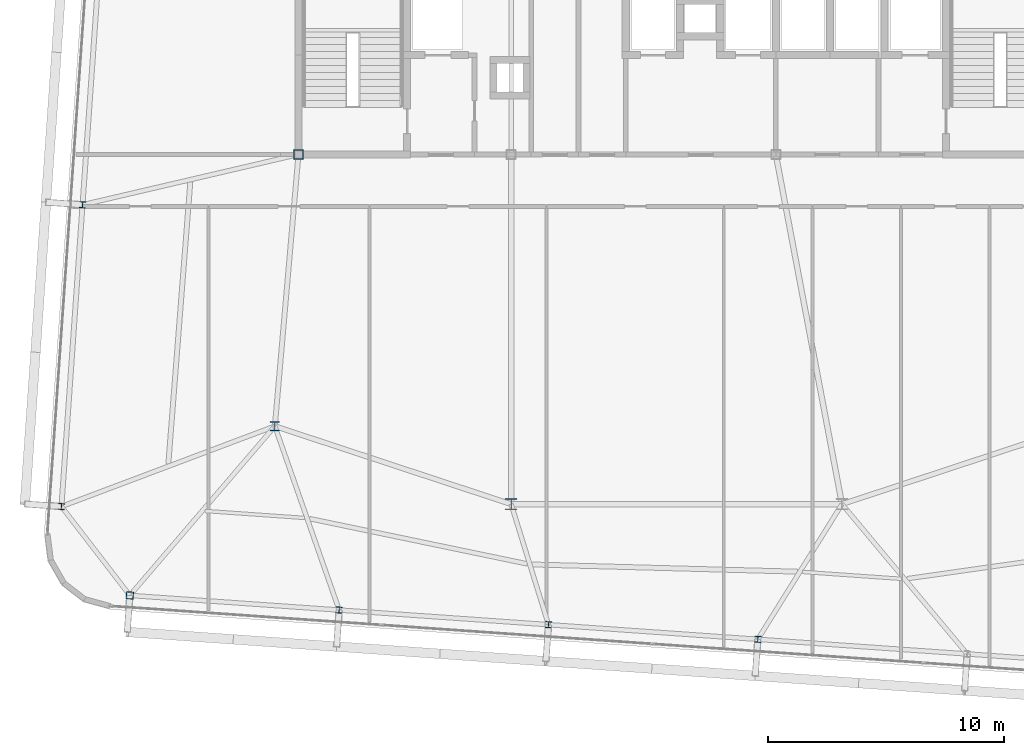
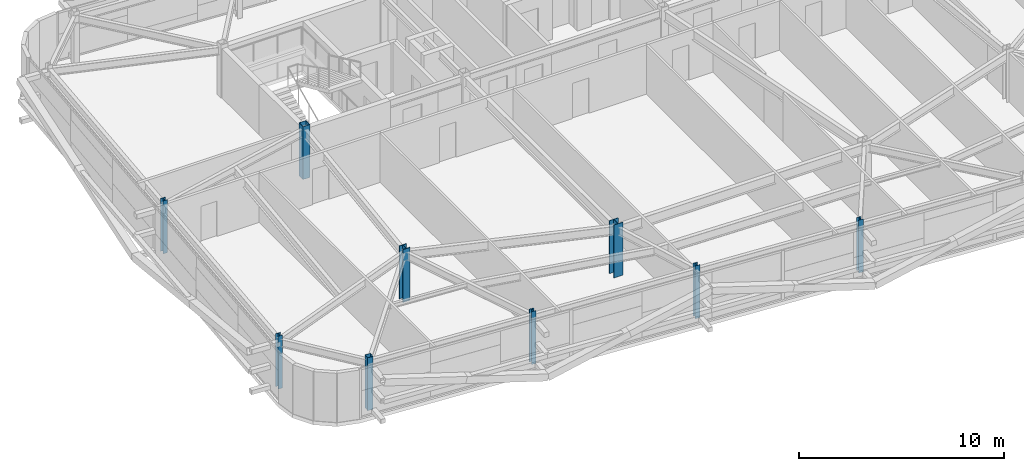
# One storey, part 1 of 39: 9 columns.
"""IFC4 building model written with IfcOpenShell, lengths in metres."""

from ifc_helpers import new_model, si_unit, direction, frame, origin, origin_2d, place, context, subcontext, project, spatial, hollow_rectangle, i_section, extrude, source, transform, mapped, material, material_profile, profile_set, type_object, element, save


model = new_model("IFC4")

# Units and contexts
model_context = context("Model", 3, precision=1e-05, world=origin(), true_north=direction((0.0, 1.0)))
body_context = subcontext(model_context, "Body", "Model", "MODEL_VIEW")
ifc_project = project(units=[si_unit("LENGTHUNIT", "METRE"), si_unit("AREAUNIT", "SQUARE_METRE"), si_unit("VOLUMEUNIT", "CUBIC_METRE"), si_unit("PLANEANGLEUNIT", "RADIAN"), si_unit("MASSUNIT", "GRAM", prefix="KILO")], contexts=[model_context])

# Site, building, storey
site_placement = place(None, origin())
site = spatial("IfcSite", under=ifc_project, at=site_placement, CompositionType="ELEMENT")
building_placement = place(site_placement, origin())
building = spatial("IfcBuilding", under=site, at=building_placement, Name="Taldren Reach Tower", CompositionType="ELEMENT")
storey_placement = place(building_placement, frame((0.0, 0.0, 136.14990234375)))
storey = spatial("IfcBuildingStorey", under=building, at=storey_placement, Name="L41", CompositionType="ELEMENT", Elevation=136.14990234375)

# Columns
ifc_material_1 = material(Name="Steel Gr 350 (350PLUS)", Category="steel")
ifc_material_profile_1 = material_profile(ifc_material_1, i_section(OverallWidth=0.39990234375, OverallDepth=0.39599609375, WebThickness=0.02197265625, FlangeThickness=0.033935546875, at=origin_2d()), Name="400WC270")
ifc_profile_set_1 = profile_set([ifc_material_profile_1], Name="Steel Gr 350 (350PLUS)")
column_type_1 = type_object("IfcColumnType", Name="COL-WC400", PredefinedType="COLUMN", material=ifc_profile_set_1)
shared_shape_1 = source(origin(), body_context, "Body", "SweptSolid", [
    extrude(i_section(OverallWidth=0.39990234375, OverallDepth=0.39599609375, WebThickness=0.02197265625, FlangeThickness=0.033935546875, at=origin_2d()), origin(), (0.0, 0.0, 1.0), 3.150146484375),
])
column_1_placement = place(storey_placement, frame((18.0, 12.5, 0.0), z_axis=(0.0, 0.0, 1.0), x_axis=(1.0, 0.0, 0.0)))
element("IfcColumn", 1, at=column_1_placement, inside=storey, type_object=column_type_1, Name="Mega column MC-SW L41", PredefinedType="COLUMN", context=body_context, shape_type="MappedRepresentation", body=[
    mapped(shared_shape_1, transform((0.0, 0.0, 0.0), scale=1.0)),
])
ifc_material_profile_2 = material_profile(ifc_material_1, i_section(OverallWidth=0.5, OverallDepth=0.464111328125, WebThickness=0.02197265625, FlangeThickness=0.033935546875, at=origin_2d()), Name="500WC340")
ifc_profile_set_2 = profile_set([ifc_material_profile_2], Name="Steel Gr 350 (350PLUS)")
column_type_2 = type_object("IfcColumnType", Name="COL-WC500B", PredefinedType="COLUMN", material=ifc_profile_set_2)
shared_shape_2 = source(origin(), body_context, "Body", "SweptSolid", [
    extrude(i_section(OverallWidth=0.5, OverallDepth=0.464111328125, WebThickness=0.02197265625, FlangeThickness=0.033935546875, at=origin_2d()), origin(), (0.0, 0.0, 1.0), 3.150146484375),
])
column_2_placement = place(storey_placement, frame((28.0, 9.199951171875, 0.0), z_axis=(0.0, 0.0, 1.0), x_axis=(1.0, 0.0, 0.0)))
element("IfcColumn", 2, at=column_2_placement, inside=storey, type_object=column_type_2, Name="Mega column MC-PJW L41", PredefinedType="COLUMN", context=body_context, shape_type="MappedRepresentation", body=[
    mapped(shared_shape_2, transform((0.0, 0.0, 0.0), scale=1.0)),
])
ifc_material_2 = material(Name="Steel Gr 450 (C450L0)", Category="steel")
ifc_material_profile_3 = material_profile(ifc_material_2, hollow_rectangle(XDim=0.39990234375, YDim=0.39990234375, WallThickness=0.01611328125, at=origin_2d()), Name="400x400x16.0SHS")
ifc_profile_set_3 = profile_set([ifc_material_profile_3], Name="Steel Gr 450 (C450L0)")
column_type_3 = type_object("IfcColumnType", Name="COL-SHS400", PredefinedType="COLUMN", material=ifc_profile_set_3)
shared_shape_3 = source(origin(), body_context, "Body", "SweptSolid", [
    extrude(hollow_rectangle(XDim=0.39990234375, YDim=0.39990234375, WallThickness=0.01611328125, at=origin_2d()), origin(), (0.0, 0.0, 1.0), 3.150146484375),
])
column_3_placement = place(storey_placement, frame((19.0, 24.0, 0.0), z_axis=(0.0, 0.0, 1.0), x_axis=(1.0, 0.0, 0.0)))
element("IfcColumn", 3, at=column_3_placement, inside=storey, type_object=column_type_3, Name="Mega column MC-C1 L41", PredefinedType="COLUMN", context=body_context, shape_type="MappedRepresentation", body=[
    mapped(shared_shape_3, transform((0.0, 0.0, 0.0), scale=1.0)),
])
ifc_material_profile_4 = material_profile(ifc_material_2, hollow_rectangle(XDim=0.300048828125, YDim=0.300048828125, WallThickness=0.012451171875, at=origin_2d()), Name="300x300x12.5SHS")
ifc_profile_set_4 = profile_set([ifc_material_profile_4], Name="Steel Gr 450 (C450L0)")
column_type_4 = type_object("IfcColumnType", Name="COL-SHS300", PredefinedType="COLUMN", material=ifc_profile_set_4)
shared_shape_4 = source(origin(), body_context, "Body", "SweptSolid", [
    extrude(hollow_rectangle(XDim=0.300048828125, YDim=0.300048828125, WallThickness=0.012451171875, at=origin_2d()), origin(), (0.0, 0.0, 1.0), 3.150146484375),
])
column_4_placement = place(storey_placement, frame((11.863525390625, 5.33837890625, 0.0), z_axis=(0.0, 0.0, 1.0), x_axis=(0.99756405026, -0.069756473744, 0.0)))
element("IfcColumn", 4, at=column_4_placement, inside=storey, type_object=column_type_4, Name="Block B3 perimeter column S1 L41", PredefinedType="COLUMN", context=body_context, shape_type="MappedRepresentation", body=[
    mapped(shared_shape_4, transform((0.0, 0.0, 0.0), scale=1.0)),
])
ifc_material_profile_5 = material_profile(ifc_material_1, i_section(OverallWidth=0.256103515625, OverallDepth=0.260009765625, WebThickness=0.010498046875, FlangeThickness=0.017333984375, at=origin_2d()), Name="250UC89.5")
ifc_profile_set_5 = profile_set([ifc_material_profile_5], Name="Steel Gr 350 (350PLUS)")
column_type_5 = type_object("IfcColumnType", Name="COL-UC250", PredefinedType="COLUMN", material=ifc_profile_set_5)
shared_shape_5 = source(origin(), body_context, "Body", "SweptSolid", [
    extrude(i_section(OverallWidth=0.256103515625, OverallDepth=0.260009765625, WebThickness=0.010498046875, FlangeThickness=0.017333984375, at=origin_2d()), origin(), (0.0, 0.0, 1.0), 3.150146484375),
])
for number, where, z_axis, x_axis, name in (
    (5, (20.721923828125, 4.718994140625, 0.0), (0.0, 0.0, 1.0), (0.99756405026, -0.069756473744, 0.0), "Block B3 perimeter column S2 L41"),
    (6, (29.580322265625, 4.099609375, 0.0), (0.0, 0.0, 1.0), (0.99756405026, -0.069756473744, 0.0), "Block B3 perimeter column S3 L41"),
    (7, (38.438720703125, 3.480224609375, 0.0), (0.0, 0.0, 1.0), (0.99756405026, -0.069756473744, 0.0), "Block B3 perimeter column S4 L41"),
    (8, (8.96875, 9.099609375, 0.0), (0.0, 0.0, 1.0), (0.99756405026, -0.069756473744, 0.0), "Block B3 perimeter column W1 L41"),
    (9, (9.86181640625, 21.868408203125, 0.0), (0.0, 0.0, 1.0), (0.99756405026, -0.069756473744, 0.0), "Block B3 perimeter column W2 L41"),
):
    element("IfcColumn", number, at=place(storey_placement, frame(where, z_axis=z_axis, x_axis=x_axis)), inside=storey, type_object=column_type_5, Name=name, PredefinedType="COLUMN", context=body_context, shape_type="MappedRepresentation", body=[
        mapped(shared_shape_5, transform((0.0, 0.0, 0.0), scale=1.0)),
    ])

save(model, "model.ifc")
